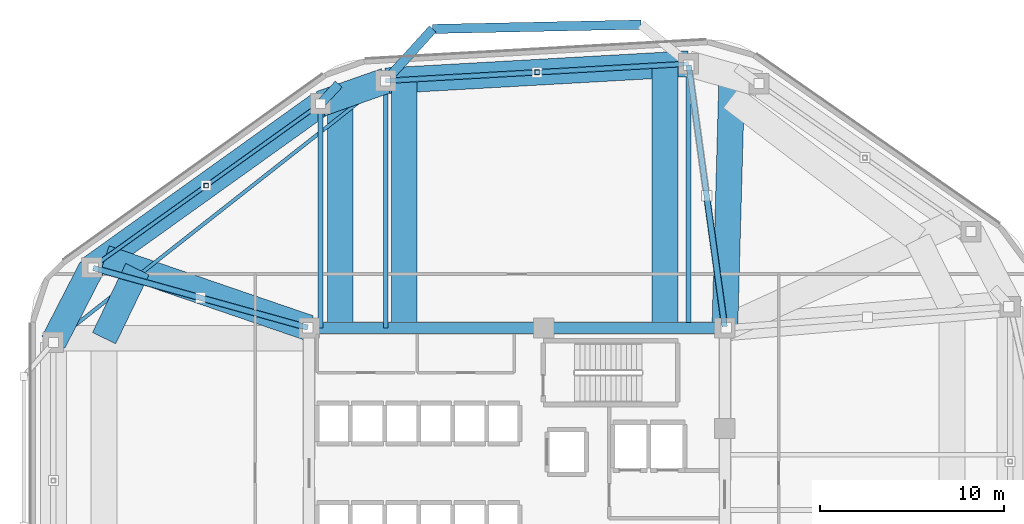
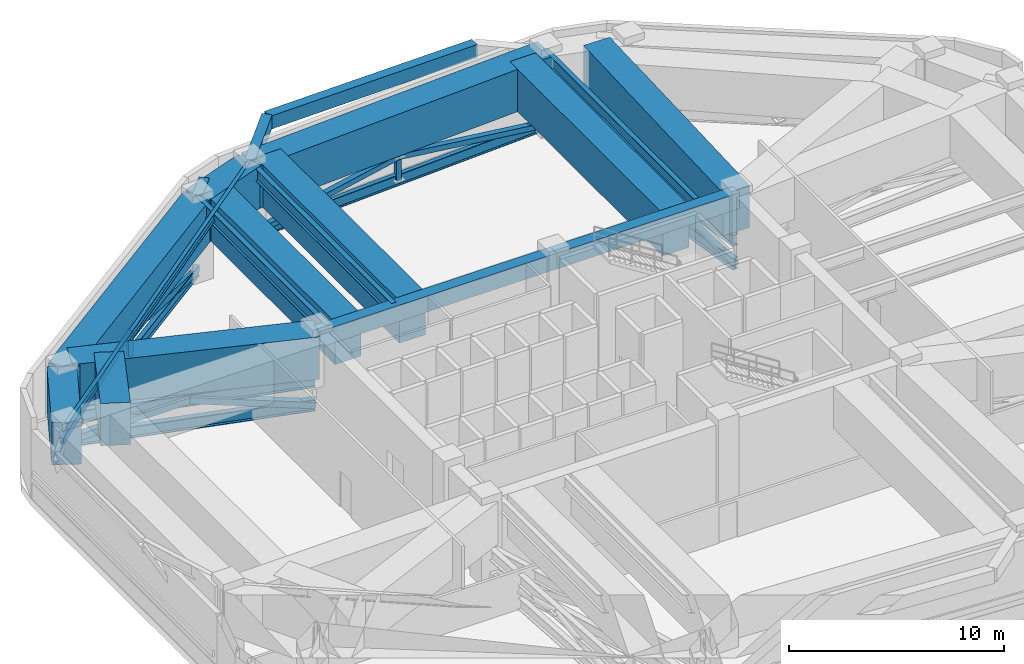
# One storey, part 5 of 12: 19 beams, 15 members.
"""IFC4 building model written with IfcOpenShell, lengths in metres."""

from ifc_helpers import new_model, si_unit, direction, frame, origin, origin_2d, place, context, subcontext, project, spatial, rectangle, hollow_rectangle, hollow_circle, i_section, extrude, material, material_profile, profile_set, type_object, element, save


model = new_model("IFC4")

# Units and contexts
model_context = context("Model", 3, precision=1e-05, world=origin(), true_north=direction((0.0, 1.0)))
body_context = subcontext(model_context, "Body", "Model", "MODEL_VIEW")
ifc_project = project(units=[si_unit("LENGTHUNIT", "METRE"), si_unit("AREAUNIT", "SQUARE_METRE"), si_unit("VOLUMEUNIT", "CUBIC_METRE"), si_unit("PLANEANGLEUNIT", "RADIAN"), si_unit("MASSUNIT", "GRAM", prefix="KILO")], contexts=[model_context])

# Site, building, storey
site_placement = place(None, origin())
site = spatial("IfcSite", under=ifc_project, at=site_placement, CompositionType="ELEMENT")
building_placement = place(site_placement, origin())
building = spatial("IfcBuilding", under=site, at=building_placement, Name="Zulverin Broadcast Headquarters", CompositionType="ELEMENT")
storey_placement = place(building_placement, frame((0.0, 0.0, 120.0)))
storey = spatial("IfcBuildingStorey", under=building, at=storey_placement, Name="L30", CompositionType="ELEMENT", Elevation=120.0)

# Beams
ifc_material_1 = material(Name="Concrete C60/75", Category="concrete")
ifc_material_profile_1 = material_profile(ifc_material_1, rectangle(XDim=0.60009765625, YDim=0.89990234375, at=origin_2d()), Name="Concrete C60/75", Category="concrete")
ifc_profile_set_1 = profile_set([ifc_material_profile_1], Name="Concrete C60/75")
beam_type_1 = type_object("IfcBeamType", Name="BM-CB-600x900", PredefinedType="LINTEL", material=ifc_profile_set_1)
beam_1_placement = place(storey_placement, frame((48.27490234375, 33.074951171875, 4.14990234375), z_axis=(-1.0, 0.0, 0.0), x_axis=(0.0, -1.0, 0.0)))
element("IfcBeam", 1, at=beam_1_placement, inside=storey, type_object=beam_type_1, Name="L30 Core Coupling Girder K05-K06", PredefinedType="LINTEL", context=body_context, shape_type="SweptSolid", body=[
    extrude(rectangle(XDim=0.60009765625, YDim=0.89990234375, at=origin_2d()), origin(), (0.0, 0.0, 1.0), 9.824951171875),
])
beam_2_placement = place(storey_placement, frame((38.449951171875, 33.074951171875, 4.14990234375), z_axis=(-1.0, 0.0, 0.0), x_axis=(0.0, -1.0, 0.0)))
element("IfcBeam", 2, at=beam_2_placement, inside=storey, type_object=beam_type_1, Name="L30 Core Coupling Girder K06-K07", PredefinedType="LINTEL", context=body_context, shape_type="SweptSolid", body=[
    extrude(rectangle(XDim=0.60009765625, YDim=0.89990234375, at=origin_2d()), origin(), (0.0, 0.0, 1.0), 12.724853515625),
])
ifc_material_2 = material(Name="Concrete C40/50", Category="concrete")
ifc_material_profile_2 = material_profile(ifc_material_2, rectangle(XDim=0.5, YDim=0.75, at=origin_2d()), Name="Concrete C40/50", Category="concrete")
ifc_profile_set_2 = profile_set([ifc_material_profile_2], Name="Concrete C40/50")
beam_type_2 = type_object("IfcBeamType", Name="BM-RC-500x750", PredefinedType="BEAM", material=ifc_profile_set_2)
beam_3_placement = place(storey_placement, frame((26.344482421875, 45.23828125, 4.22509765625), z_axis=(0.678574064995, 0.734531985904, 0.0), x_axis=(-0.734531985904, 0.678574064995, 0.0)))
element("IfcBeam", 3, at=beam_3_placement, inside=storey, type_object=beam_type_2, Name="L31 Plate Overhang Back-Spanned Beam OVR-11", PredefinedType="BEAM", context=body_context, shape_type="SweptSolid", body=[
    extrude(rectangle(XDim=0.5, YDim=0.75, at=origin_2d()), origin(), (0.0, 0.0, 1.0), 1.448486328125),
])
beam_4_placement = place(storey_placement, frame((29.873779296875, 46.482177734375, 4.22509765625), z_axis=(0.672135397235, 0.740428259714, 0.0), x_axis=(-0.740428259714, 0.672135397235, 0.0)))
element("IfcBeam", 4, at=beam_4_placement, inside=storey, type_object=beam_type_2, Name="L31 Balcony Column-Framed Cantilever BAL_N-2", PredefinedType="BEAM", context=body_context, shape_type="SweptSolid", body=[
    extrude(rectangle(XDim=0.5, YDim=0.75, at=origin_2d()), origin(), (0.0, 0.0, 1.0), 3.800048828125),
])
beam_5_placement = place(storey_placement, frame((43.718505859375, 49.5322265625, 4.22509765625), z_axis=(-0.999781007274, -0.02092695617, 0.0), x_axis=(0.02092695617, -0.999781007274, 0.0)))
element("IfcBeam", 5, at=beam_5_placement, inside=storey, type_object=beam_type_2, Name="L31 Balcony Outer Edge Trimmer Beam BAL_N", PredefinedType="BEAM", context=body_context, shape_type="SweptSolid", body=[
    extrude(rectangle(XDim=0.5, YDim=0.75, at=origin_2d()), origin(), (0.0, 0.0, 1.0), 11.29296875),
])
ifc_material_profile_3 = material_profile(ifc_material_1, rectangle(XDim=1.39990234375, YDim=2.39990234375, at=origin_2d()), Name="Concrete C60/75", Category="concrete")
ifc_profile_set_3 = profile_set([ifc_material_profile_3], Name="Concrete C60/75")
beam_type_3 = type_object("IfcBeamType", Name="BM-TG-1400x2400", PredefinedType="USERDEFINED", material=ifc_profile_set_3)
beam_6_placement = place(storey_placement, frame((46.30224609375, 47.4091796875, 3.39990234375), z_axis=(-0.998411812904, -0.056336949274, 0.0), x_axis=(0.056336949274, -0.998411812904, 0.0)))
element("IfcBeam", 6, at=beam_6_placement, inside=storey, type_object=beam_type_3, Name="L30 Perimeter Transfer Ring Girder SP-09", ObjectType="TRANSFER GIRDER", PredefinedType="USERDEFINED", context=body_context, shape_type="SweptSolid", body=[
    extrude(rectangle(XDim=1.39990234375, YDim=2.39990234375, at=origin_2d()), origin(), (0.0, 0.0, 1.0), 16.45458984375),
])
beam_7_placement = place(storey_placement, frame((29.873779296875, 46.482177734375, 3.39990234375), z_axis=(-0.943135983398, -0.332407155189, 0.0), x_axis=(0.332407155189, -0.943135983398, 0.0)))
element("IfcBeam", 7, at=beam_7_placement, inside=storey, type_object=beam_type_3, Name="L30 Perimeter Transfer Ring Girder SP-10", ObjectType="TRANSFER GIRDER", PredefinedType="USERDEFINED", context=body_context, shape_type="SweptSolid", body=[
    extrude(rectangle(XDim=1.39990234375, YDim=2.39990234375, at=origin_2d()), origin(), (0.0, 0.0, 1.0), 3.7421875),
])
beam_8_placement = place(storey_placement, frame((26.344482421875, 45.23828125, 3.39990234375), z_axis=(-0.813109374453, -0.582110938891, 0.0), x_axis=(0.582110938891, -0.813109374453, 0.0)))
element("IfcBeam", 8, at=beam_8_placement, inside=storey, type_object=beam_type_3, Name="L30 Perimeter Transfer Ring Girder SP-11", ObjectType="TRANSFER GIRDER", PredefinedType="USERDEFINED", context=body_context, shape_type="SweptSolid", body=[
    extrude(rectangle(XDim=1.39990234375, YDim=2.39990234375, at=origin_2d()), origin(), (0.0, 0.0, 1.0), 15.2626953125),
])
beam_9_placement = place(storey_placement, frame((13.934326171875, 36.353759765625, 3.39990234375), z_axis=(-0.457080631948, -0.889425261558, 0.0), x_axis=(0.889425261558, -0.457080631948, 0.0)))
element("IfcBeam", 9, at=beam_9_placement, inside=storey, type_object=beam_type_3, Name="L30 Perimeter Transfer Ring Girder SP-12", ObjectType="TRANSFER GIRDER", PredefinedType="USERDEFINED", context=body_context, shape_type="SweptSolid", body=[
    extrude(rectangle(XDim=1.39990234375, YDim=2.39990234375, at=origin_2d()), origin(), (0.0, 0.0, 1.0), 4.559814453125),
])
beam_10_placement = place(storey_placement, frame((48.27490234375, 33.074951171875, 3.39990234375), z_axis=(0.027713043847, 0.999615919842, 0.0), x_axis=(-0.999615919842, 0.027713043847, 0.0)))
element("IfcBeam", 10, at=beam_10_placement, inside=storey, type_object=beam_type_3, Name="L31 Step Transfer Girder TG-08", ObjectType="TRANSFER GIRDER", PredefinedType="USERDEFINED", context=body_context, shape_type="SweptSolid", body=[
    extrude(rectangle(XDim=1.39990234375, YDim=2.39990234375, at=origin_2d()), origin(), (0.0, 0.0, 1.0), 13.672607421875),
])
beam_11_placement = place(storey_placement, frame((45.027587890625, 33.074951171875, 3.39990234375), z_axis=(0.0, 1.0, 0.0), x_axis=(-1.0, 0.0, 0.0)))
element("IfcBeam", 11, at=beam_11_placement, inside=storey, type_object=beam_type_3, Name="L31 Step Transfer Girder TG-09", ObjectType="TRANSFER GIRDER", PredefinedType="USERDEFINED", context=body_context, shape_type="SweptSolid", body=[
    extrude(rectangle(XDim=1.39990234375, YDim=2.39990234375, at=origin_2d()), origin(), (0.0, 0.0, 1.0), 14.262451171875),
])
beam_12_placement = place(storey_placement, frame((30.882080078125, 33.074951171875, 3.39990234375), z_axis=(0.0, 1.0, 0.0), x_axis=(-1.0, 0.0, 0.0)))
element("IfcBeam", 12, at=beam_12_placement, inside=storey, type_object=beam_type_3, Name="L31 Step Transfer Girder TG-10", ObjectType="TRANSFER GIRDER", PredefinedType="USERDEFINED", context=body_context, shape_type="SweptSolid", body=[
    extrude(rectangle(XDim=1.39990234375, YDim=2.39990234375, at=origin_2d()), origin(), (0.0, 0.0, 1.0), 13.464111328125),
])
beam_13_placement = place(storey_placement, frame((27.416259765625, 33.074951171875, 3.39990234375), z_axis=(0.0, 1.0, 0.0), x_axis=(-1.0, 0.0, 0.0)))
element("IfcBeam", 13, at=beam_13_placement, inside=storey, type_object=beam_type_3, Name="L31 Step Transfer Girder TG-11", ObjectType="TRANSFER GIRDER", PredefinedType="USERDEFINED", context=body_context, shape_type="SweptSolid", body=[
    extrude(rectangle(XDim=1.39990234375, YDim=2.39990234375, at=origin_2d()), origin(), (0.0, 0.0, 1.0), 12.541259765625),
])
beam_14_placement = place(storey_placement, frame((25.72509765625, 33.074951171875, 3.39990234375), z_axis=(-0.945979221616, 0.324227254054, 0.0), x_axis=(-0.324227254054, -0.945979221616, 0.0)))
element("IfcBeam", 14, at=beam_14_placement, inside=storey, type_object=beam_type_3, Name="L31 Step Transfer Girder TG-12", ObjectType="TRANSFER GIRDER", PredefinedType="USERDEFINED", context=body_context, shape_type="SweptSolid", body=[
    extrude(rectangle(XDim=1.39990234375, YDim=2.39990234375, at=origin_2d()), origin(), (0.0, 0.0, 1.0), 11.703125),
])
beam_15_placement = place(storey_placement, frame((16.40869140625, 36.26806640625, 3.39990234375), z_axis=(-0.434890248034, -0.900483465792, 0.0), x_axis=(0.900483465792, -0.434890248034, 0.0)))
element("IfcBeam", 15, at=beam_15_placement, inside=storey, type_object=beam_type_3, Name="L31 Step Transfer Ring Girder TGR-12", ObjectType="TRANSFER GIRDER", PredefinedType="USERDEFINED", context=body_context, shape_type="SweptSolid", body=[
    extrude(rectangle(XDim=1.39990234375, YDim=2.39990234375, at=origin_2d()), origin(), (0.0, 0.0, 1.0), 4.15869140625),
])
ifc_material_3 = material(Name="Structural steel S355JR", Category="steel")
ifc_material_profile_4 = material_profile(ifc_material_3, i_section(OverallWidth=0.19287109375, OverallDepth=0.46728515625, WebThickness=0.011474609375, FlangeThickness=0.01953125, at=origin_2d()), Name="Structural steel S355JR", Category="steel")
ifc_profile_set_4 = profile_set([ifc_material_profile_4], Name="Structural steel S355JR")
beam_type_4 = type_object("IfcBeamType", Name="BM-UB-457", PredefinedType="JOIST", material=ifc_profile_set_4)
beam_16_placement = place(storey_placement, frame((29.873779296875, 46.482177734375, 4.366455078125), z_axis=(-0.78583902739, -0.618431098047, 0.0), x_axis=(0.618431098047, -0.78583902739, 0.0)))
element("IfcBeam", 16, at=beam_16_placement, inside=storey, type_object=beam_type_4, Name="L30 Chordal Floor Joist J-03", PredefinedType="JOIST", context=body_context, shape_type="SweptSolid", body=[
    extrude(i_section(OverallWidth=0.19287109375, OverallDepth=0.46728515625, WebThickness=0.011474609375, FlangeThickness=0.01953125, at=origin_2d()), origin(), (0.0, 0.0, 1.0), 22.935546875),
])
ifc_material_profile_5 = material_profile(ifc_material_3, i_section(OverallWidth=0.255859375, OverallDepth=0.69287109375, WebThickness=0.014404296875, FlangeThickness=0.023681640625, at=origin_2d()), Name="Structural steel S355JR", Category="steel")
ifc_profile_set_5 = profile_set([ifc_material_profile_5], Name="Structural steel S355JR")
beam_type_5 = type_object("IfcBeamType", Name="BM-UB-686", PredefinedType="BEAM", material=ifc_profile_set_5)
beam_17_placement = place(storey_placement, frame((46.30224609375, 33.074951171875, 4.25341796875), z_axis=(0.0, 1.0, 0.0), x_axis=(-1.0, 0.0, 0.0)))
element("IfcBeam", 17, at=beam_17_placement, inside=storey, type_object=beam_type_5, Name="L30 Radial Primary Floor Beam RB-09", PredefinedType="BEAM", context=body_context, shape_type="SweptSolid", body=[
    extrude(i_section(OverallWidth=0.255859375, OverallDepth=0.69287109375, WebThickness=0.014404296875, FlangeThickness=0.023681640625, at=origin_2d()), origin(), (0.0, 0.0, 1.0), 14.334228515625),
])
beam_18_placement = place(storey_placement, frame((29.873779296875, 33.074951171875, 4.25341796875), z_axis=(0.0, 1.0, 0.0), x_axis=(-1.0, 0.0, 0.0)))
element("IfcBeam", 18, at=beam_18_placement, inside=storey, type_object=beam_type_5, Name="L30 Radial Primary Floor Beam RB-10", PredefinedType="BEAM", context=body_context, shape_type="SweptSolid", body=[
    extrude(i_section(OverallWidth=0.255859375, OverallDepth=0.69287109375, WebThickness=0.014404296875, FlangeThickness=0.023681640625, at=origin_2d()), origin(), (0.0, 0.0, 1.0), 13.4072265625),
])
beam_19_placement = place(storey_placement, frame((26.344482421875, 33.074951171875, 4.25341796875), z_axis=(0.0, 1.0, 0.0), x_axis=(-1.0, 0.0, 0.0)))
element("IfcBeam", 19, at=beam_19_placement, inside=storey, type_object=beam_type_5, Name="L30 Radial Primary Floor Beam RB-11", PredefinedType="BEAM", context=body_context, shape_type="SweptSolid", body=[
    extrude(i_section(OverallWidth=0.255859375, OverallDepth=0.69287109375, WebThickness=0.014404296875, FlangeThickness=0.023681640625, at=origin_2d()), origin(), (0.0, 0.0, 1.0), 12.163330078125),
])

# Members
ifc_material_profile_6 = material_profile(ifc_material_3, i_section(OverallWidth=0.230224609375, OverallDepth=0.6171875, WebThickness=0.01318359375, FlangeThickness=0.022216796875, at=origin_2d()), Name="Structural steel S355JR", Category="steel")
ifc_profile_set_6 = profile_set([ifc_material_profile_6], Name="Structural steel S355JR")
member_type_1 = type_object("IfcMemberType", Name="MBR-BLT-CHORD", PredefinedType="CHORD", material=ifc_profile_set_6)
member_1_placement = place(storey_placement, frame((46.30224609375, 47.4091796875, 0.35009765625), z_axis=(-0.998411812904, -0.056336949274, 0.0), x_axis=(0.056336949274, -0.998411812904, 0.0)))
element("IfcMember", 20, at=member_1_placement, inside=storey, type_object=member_type_1, Name="L30 Belt Truss Bottom Chord BC-05", PredefinedType="CHORD", context=body_context, shape_type="SweptSolid", body=[
    extrude(i_section(OverallWidth=0.230224609375, OverallDepth=0.6171875, WebThickness=0.01318359375, FlangeThickness=0.022216796875, at=origin_2d()), origin(), (0.0, 0.0, 1.0), 16.45458984375),
])
member_2_placement = place(storey_placement, frame((26.344482421875, 45.23828125, 0.35009765625), z_axis=(-0.813109374453, -0.582110938891, 0.0), x_axis=(0.582110938891, -0.813109374453, 0.0)))
element("IfcMember", 21, at=member_2_placement, inside=storey, type_object=member_type_1, Name="L30 Belt Truss Bottom Chord BC-06", PredefinedType="CHORD", context=body_context, shape_type="SweptSolid", body=[
    extrude(i_section(OverallWidth=0.230224609375, OverallDepth=0.6171875, WebThickness=0.01318359375, FlangeThickness=0.022216796875, at=origin_2d()), origin(), (0.0, 0.0, 1.0), 15.2626953125),
])
ifc_material_profile_7 = material_profile(ifc_material_3, hollow_rectangle(XDim=0.300048828125, YDim=0.300048828125, WallThickness=0.01611328125, at=origin_2d()), Name="Structural steel S355JR", Category="steel")
ifc_profile_set_7 = profile_set([ifc_material_profile_7], Name="Structural steel S355JR")
member_type_2 = type_object("IfcMemberType", Name="MBR-BLT-DIAG1", PredefinedType="BRACE", material=ifc_profile_set_7)
member_3_placement = place(storey_placement, frame((46.30224609375, 47.4091796875, 0.35009765625), z_axis=(-0.985620686974, -0.055599716575, 0.15956357017), x_axis=(0.056321324794, -0.998412694417, 0.0)))
element("IfcMember", 22, at=member_3_placement, inside=storey, type_object=member_type_2, Name="L30 Belt Truss Diagonal Brace BD-05A", PredefinedType="BRACE", context=body_context, shape_type="SweptSolid", body=[
    extrude(hollow_rectangle(XDim=0.300048828125, YDim=0.300048828125, WallThickness=0.01611328125, at=origin_2d()), origin(), (0.0, 0.0, 1.0), 8.334228515625),
])
member_4_placement = place(storey_placement, frame((29.873779296875, 46.482177734375, 0.35009765625), z_axis=(0.985618244724, 0.055630525984, 0.159567917343), x_axis=(-0.056352574177, 0.998410931122, 0.0)))
element("IfcMember", 23, at=member_4_placement, inside=storey, type_object=member_type_2, Name="L30 Belt Truss Diagonal Brace BD-05B", PredefinedType="BRACE", context=body_context, shape_type="SweptSolid", body=[
    extrude(hollow_rectangle(XDim=0.300048828125, YDim=0.300048828125, WallThickness=0.01611328125, at=origin_2d()), origin(), (0.0, 0.0, 1.0), 8.333984375),
])
ifc_material_profile_8 = material_profile(ifc_material_3, hollow_rectangle(XDim=0.199951171875, YDim=0.39990234375, WallThickness=0.01611328125, at=origin_2d()), Name="Structural steel S355JR", Category="steel")
ifc_profile_set_8 = profile_set([ifc_material_profile_8], Name="Structural steel S355JR")
member_type_3 = type_object("IfcMemberType", Name="MBR-BLT-DIAG2", PredefinedType="BRACE", material=ifc_profile_set_8)
for number, where, z_axis, x_axis, name in (
    (24, (26.344482421875, 45.23828125, 0.35009765625), (-0.80104511357, -0.573458287748, 0.171675036733), (0.582100363029, -0.813116945686, 0.0), "L30 Belt Truss Diagonal Brace BD-06A"),
    (25, (13.934326171875, 36.353759765625, 0.35009765625), (0.801030635565, 0.573479439909, 0.171671933897), (-0.582121514458, 0.813101803224, 0.0), "L30 Belt Truss Diagonal Brace BD-06B"),
):
    element("IfcMember", number, at=place(storey_placement, frame(where, z_axis=z_axis, x_axis=x_axis)), inside=storey, type_object=member_type_3, Name=name, PredefinedType="BRACE", context=body_context, shape_type="SweptSolid", body=[
        extrude(hollow_rectangle(XDim=0.199951171875, YDim=0.39990234375, WallThickness=0.01611328125, at=origin_2d()), origin(), (0.0, 0.0, 1.0), 7.746337890625),
    ])
ifc_material_profile_9 = material_profile(ifc_material_3, hollow_rectangle(XDim=0.25, YDim=0.25, WallThickness=0.01611328125, at=origin_2d()), Name="Structural steel S355JR", Category="steel")
ifc_profile_set_9 = profile_set([ifc_material_profile_9], Name="Structural steel S355JR")
member_type_4 = type_object("IfcMemberType", Name="MBR-BLT-POST", PredefinedType="POST", material=ifc_profile_set_9)
for number, where, z_axis, x_axis, name in (
    (26, (38.087890625, 46.94580078125, 0.35009765625), (0.0, 0.0, 1.0), (1.0, 0.0, 0.0), "L30 Belt Truss King Post BP-05"),
    (27, (20.139404296875, 40.796142578125, 0.35009765625), (0.0, 0.0, 1.0), (1.0, 0.0, 0.0), "L30 Belt Truss King Post BP-06"),
):
    element("IfcMember", number, at=place(storey_placement, frame(where, z_axis=z_axis, x_axis=x_axis)), inside=storey, type_object=member_type_4, Name=name, PredefinedType="POST", context=body_context, shape_type="SweptSolid", body=[
        extrude(hollow_rectangle(XDim=0.25, YDim=0.25, WallThickness=0.01611328125, at=origin_2d()), origin(), (0.0, 0.0, 1.0), 1.329833984375),
    ])
ifc_material_4 = material(Name="Structural steel S460M", Category="steel")
ifc_material_profile_10 = material_profile(ifc_material_4, i_section(OverallWidth=0.300048828125, OverallDepth=0.64990234375, WebThickness=0.01611328125, FlangeThickness=0.031005859375, at=origin_2d()), Name="Structural steel S460M", Category="steel")
ifc_profile_set_10 = profile_set([ifc_material_profile_10], Name="Structural steel S460M")
member_type_5 = type_object("IfcMemberType", Name="MBR-OUT-CHORD", PredefinedType="CHORD", material=ifc_profile_set_10)
for number, where, z_axis, x_axis, name in (
    (28, (48.26416015625, 33.154296875, 0.35009765625), (-0.136355647626, 0.990659950417, 0.0), (-0.990659950417, -0.136355647626, 0.0), "L30 Outrigger Truss Bottom Chord OC-04"),
    (29, (48.26416015625, 33.154296875, 1.679931640625), (-0.136355647626, 0.990659950417, 0.0), (-0.990659950417, -0.136355647626, 0.0), "L30 Outrigger Truss Upper Chord OTC-04"),
):
    element("IfcMember", number, at=place(storey_placement, frame(where, z_axis=z_axis, x_axis=x_axis)), inside=storey, type_object=member_type_5, Name=name, PredefinedType="CHORD", context=body_context, shape_type="SweptSolid", body=[
        extrude(i_section(OverallWidth=0.300048828125, OverallDepth=0.64990234375, WebThickness=0.01611328125, FlangeThickness=0.031005859375, at=origin_2d()), origin(), (0.0, 0.0, 1.0), 14.309326171875),
    ])
for number, where, z_axis, x_axis, name in (
    (30, (25.64794921875, 33.096435546875, 0.35009765625), (-0.963438229081, 0.26793054836, 0.0), (-0.26793054836, -0.963438229081, 0.0), "L30 Outrigger Truss Bottom Chord OC-05"),
    (31, (25.64794921875, 33.096435546875, 1.679931640625), (-0.963438229081, 0.26793054836, 0.0), (-0.26793054836, -0.963438229081, 0.0), "L30 Outrigger Truss Upper Chord OTC-05"),
):
    element("IfcMember", number, at=place(storey_placement, frame(where, z_axis=z_axis, x_axis=x_axis)), inside=storey, type_object=member_type_5, Name=name, PredefinedType="CHORD", context=body_context, shape_type="SweptSolid", body=[
        extrude(i_section(OverallWidth=0.300048828125, OverallDepth=0.64990234375, WebThickness=0.01611328125, FlangeThickness=0.031005859375, at=origin_2d()), origin(), (0.0, 0.0, 1.0), 12.078125),
    ])
ifc_material_profile_11 = material_profile(ifc_material_4, hollow_rectangle(XDim=0.35009765625, YDim=0.35009765625, WallThickness=0.02001953125, at=origin_2d()), Name="Structural steel S460M", Category="steel")
ifc_profile_set_11 = profile_set([ifc_material_profile_11], Name="Structural steel S460M")
member_type_6 = type_object("IfcMemberType", Name="MBR-OUT-DIAG1", PredefinedType="BRACE", material=ifc_profile_set_11)
member_5_placement = place(storey_placement, frame((25.64794921875, 33.096435546875, 0.35009765625), z_axis=(-0.940902976158, 0.261638302408, 0.215051129201), x_axis=(-0.267906568319, -0.963444897569, 0.0)))
element("IfcMember", 32, at=member_5_placement, inside=storey, type_object=member_type_6, Name="L30 Outrigger Truss Diagonal Brace OD-05A", PredefinedType="BRACE", context=body_context, shape_type="SweptSolid", body=[
    extrude(hollow_rectangle(XDim=0.35009765625, YDim=0.35009765625, WallThickness=0.02001953125, at=origin_2d()), origin(), (0.0, 0.0, 1.0), 6.183837890625),
])
member_6_placement = place(storey_placement, frame((14.011474609375, 36.33251953125, 0.35009765625), z_axis=(0.940888726953, -0.261684800564, 0.2150568963), x_axis=(0.267954528909, 0.96343155981, 0.0)))
element("IfcMember", 33, at=member_6_placement, inside=storey, type_object=member_type_6, Name="L30 Outrigger Truss Diagonal Brace OD-05B", PredefinedType="BRACE", context=body_context, shape_type="SweptSolid", body=[
    extrude(hollow_rectangle(XDim=0.35009765625, YDim=0.35009765625, WallThickness=0.02001953125, at=origin_2d()), origin(), (0.0, 0.0, 1.0), 6.18359375),
])
ifc_material_profile_12 = material_profile(ifc_material_4, hollow_circle(Radius=0.177734375, WallThickness=0.01611328125, at=origin_2d()), Name="Structural steel S460M", Category="steel")
ifc_profile_set_12 = profile_set([ifc_material_profile_12], Name="Structural steel S460M")
member_type_7 = type_object("IfcMemberType", Name="MBR-OUT-DIAG2", PredefinedType="BRACE", material=ifc_profile_set_12)
member_7_placement = place(storey_placement, frame((48.26416015625, 33.154296875, 0.35009765625), z_axis=(-0.134059631839, 0.973978786674, 0.182738442099), x_axis=(-0.990659950417, -0.136355647626, 0.0)))
element("IfcMember", 34, at=member_7_placement, inside=storey, type_object=member_type_7, Name="L30 Outrigger Truss Diagonal Brace OD-04A", PredefinedType="BRACE", context=body_context, shape_type="SweptSolid", body=[
    extrude(hollow_circle(Radius=0.177734375, WallThickness=0.01611328125, at=origin_2d()), origin(), (0.0, 0.0, 1.0), 7.27734375),
])

save(model, "model.ifc")
